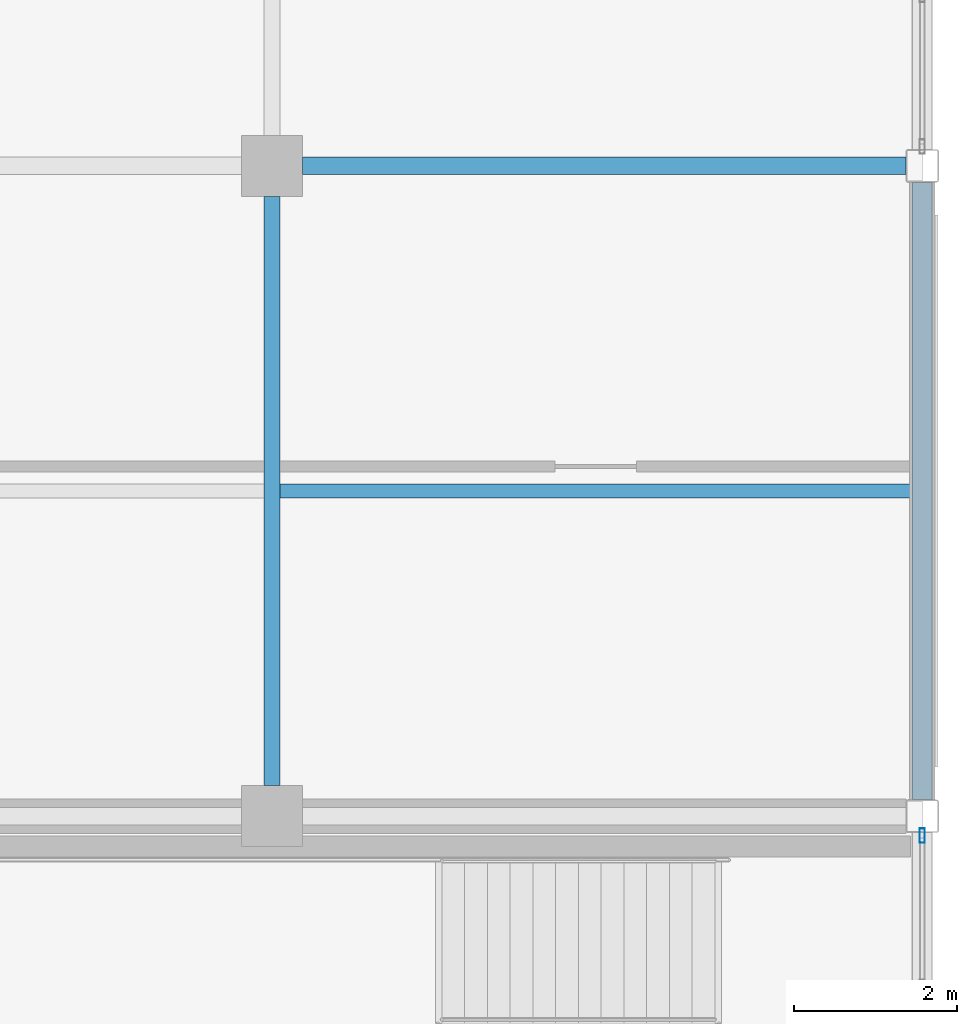
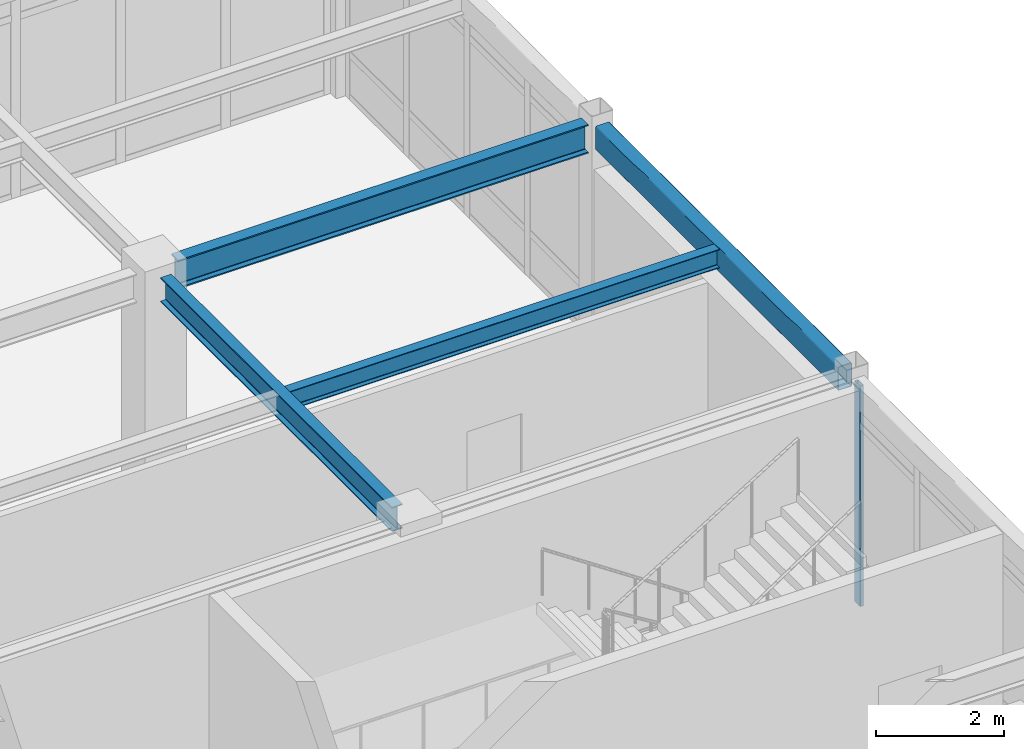
# One storey, part 72 of 111: 4 beams, 1 member, 1 element without a shape of its own.
"""IFC4 building model written with IfcOpenShell, lengths in metres."""

from ifc_helpers import new_model, si_unit, direction, frame, origin, origin_2d, place, context, subcontext, project, spatial, hollow_rectangle, i_section, extrude, material, material_profile, profile_set, type_object, element, aggregate, save


model = new_model("IFC4")

# Units and contexts
model_context = context("Model", 3, precision=1e-05, world=origin(), true_north=direction((0.0, 1.0)))
body_context = subcontext(model_context, "Body", "Model", "MODEL_VIEW")
ifc_project = project(units=[si_unit("LENGTHUNIT", "METRE"), si_unit("AREAUNIT", "SQUARE_METRE"), si_unit("VOLUMEUNIT", "CUBIC_METRE"), si_unit("PLANEANGLEUNIT", "RADIAN"), si_unit("MASSUNIT", "GRAM", prefix="KILO")], contexts=[model_context])

# Site, building, storey
site_placement = place(None, origin())
site = spatial("IfcSite", under=ifc_project, at=site_placement, CompositionType="ELEMENT")
building_placement = place(site_placement, origin())
building = spatial("IfcBuilding", under=site, at=building_placement, Name="Solmirada Galleria", CompositionType="ELEMENT")
storey_placement = place(building_placement, frame((0.0, 0.0, 10.39990234375)))
storey = spatial("IfcBuildingStorey", under=building, at=storey_placement, Name="L02", CompositionType="ELEMENT", Elevation=10.39990234375)

# Beams
ifc_material_1 = material(Name="Steel S355 / ASTM A992 Grade 50", Category="steel")
ifc_material_profile_1 = material_profile(ifc_material_1, i_section(OverallWidth=0.194091796875, OverallDepth=0.468994140625, WebThickness=0.0126953125, FlangeThickness=0.0205078125, FilletRadius=0.013916015625, at=origin_2d()), Name="W18X71")
ifc_profile_set_1 = profile_set([ifc_material_profile_1], Name="Steel S355 / ASTM A992 Grade 50")
beam_type_1 = type_object("IfcBeamType", Name="BM-GIRD-W18B", PredefinedType="BEAM", material=ifc_profile_set_1)
beam_1_placement = place(storey_placement, frame((168.0, 104.375, 4.065673828125), z_axis=(0.0, 1.0, 0.0), x_axis=(-1.0, 0.0, 0.0)))
element("IfcBeam", 1, at=beam_1_placement, inside=storey, type_object=beam_type_1, Name="Primary girder L03 Y(168, 104..112)", PredefinedType="BEAM", context=body_context, shape_type="SweptSolid", body=[
    extrude(i_section(OverallWidth=0.194091796875, OverallDepth=0.468994140625, WebThickness=0.0126953125, FlangeThickness=0.0205078125, FilletRadius=0.013916015625, at=origin_2d()), origin(), (0.0, 0.0, 1.0), 7.25),
])
ifc_material_profile_2 = material_profile(ifc_material_1, i_section(OverallWidth=0.214111328125, OverallDepth=0.549072265625, WebThickness=0.0146484375, FlangeThickness=0.023681640625, FilletRadius=0.014892578125, at=origin_2d()), Name="W21X93")
ifc_profile_set_2 = profile_set([ifc_material_profile_2], Name="Steel S355 / ASTM A992 Grade 50")
beam_type_2 = type_object("IfcBeamType", Name="BM-GIRD-W21A", PredefinedType="BEAM", material=ifc_profile_set_2)
beam_2_placement = place(storey_placement, frame((168.375, 112.0, 4.025634765625), z_axis=(1.0, 0.0, 0.0), x_axis=(0.0, 1.0, 0.0)))
element("IfcBeam", 2, at=beam_2_placement, inside=storey, type_object=beam_type_2, Name="Primary beam L03 X(168..176, 112)", PredefinedType="BEAM", context=body_context, shape_type="SweptSolid", body=[
    extrude(i_section(OverallWidth=0.214111328125, OverallDepth=0.549072265625, WebThickness=0.0146484375, FlangeThickness=0.023681640625, FilletRadius=0.014892578125, at=origin_2d()), origin(), (0.0, 0.0, 1.0), 7.422119140625),
])
ifc_material_profile_3 = material_profile(ifc_material_1, i_section(OverallWidth=0.172119140625, OverallDepth=0.35791015625, WebThickness=0.0078125, FlangeThickness=0.01318359375, FilletRadius=0.011962890625, at=origin_2d()), Name="W14X38")
ifc_profile_set_3 = profile_set([ifc_material_profile_3], Name="Steel S355 / ASTM A992 Grade 50")
beam_type_3 = type_object("IfcBeamType", Name="BM-JST-W14A", PredefinedType="JOIST", material=ifc_profile_set_3)
beam_3_placement = place(storey_placement, frame((168.096923828125, 108.0, 4.12109375), z_axis=(1.0, 0.0, 0.0), x_axis=(0.0, 1.0, 0.0)))
element("IfcBeam", 3, at=beam_3_placement, inside=storey, type_object=beam_type_3, Name="Composite floor joist L03 (168..176, 108.0)", PredefinedType="JOIST", context=body_context, shape_type="SweptSolid", body=[
    extrude(i_section(OverallWidth=0.172119140625, OverallDepth=0.35791015625, WebThickness=0.0078125, FlangeThickness=0.01318359375, FilletRadius=0.011962890625, at=origin_2d()), origin(), (0.0, 0.0, 1.0), 7.776123046875),
])
ifc_material_2 = material(Name="Steel S355 / ASTM A500 Grade C", Category="steel")
ifc_material_profile_4 = material_profile(ifc_material_2, hollow_rectangle(XDim=0.25390625, YDim=0.45703125, WallThickness=0.01171875, InnerFilletRadius=0.01171875, OuterFilletRadius=0.023681640625, at=origin_2d()), Name="HSS18X10X1/2")
ifc_profile_set_4 = profile_set([ifc_material_profile_4], Name="Steel S355 / ASTM A500 Grade C")
beam_type_4 = type_object("IfcBeamType", Name="BM-SPAND-W18", PredefinedType="SPANDREL", material=ifc_profile_set_4)
beam_4_placement = place(storey_placement, frame((176.0, 104.202880859375, 4.071533203125), z_axis=(0.0, 1.0, 0.0), x_axis=(-1.0, 0.0, 0.0)))
element("IfcBeam", 4, at=beam_4_placement, inside=storey, type_object=beam_type_4, Name="Primary girder L03 Y(176, 104..112)", PredefinedType="SPANDREL", context=body_context, shape_type="SweptSolid", body=[
    extrude(hollow_rectangle(XDim=0.25390625, YDim=0.45703125, WallThickness=0.01171875, InnerFilletRadius=0.01171875, OuterFilletRadius=0.023681640625, at=origin_2d()), origin(), (0.0, 0.0, 1.0), 7.59423828125),
])

# Curtain wall, member
ifc_material_3 = material(Name="Impact-resistant low-E double glazing", Category="glass")
curtain_wall_type = type_object("IfcCurtainWallType", Name="CW-FZ2-L02-B4-L076", PredefinedType="NOTDEFINED", material=ifc_material_3)
curtain_wall_placement = place(storey_placement, origin())
curtain_wall = element("IfcCurtainWall", 5, at=curtain_wall_placement, inside=storey, type_object=curtain_wall_type, Name="Terrace and arcade storefront CW-L02-101", PredefinedType="NOTDEFINED")
ifc_material_4 = material(Name="Anodised aluminium framing", Category="aluminium")
ifc_material_profile_5 = material_profile(ifc_material_4, hollow_rectangle(XDim=0.06494140625, YDim=0.179931640625, WallThickness=0.00390625, InnerFilletRadius=0.00390625, OuterFilletRadius=0.008056640625, at=origin_2d()), Name="ALU-MULL-180X65")
ifc_profile_set_5 = profile_set([ifc_material_profile_5], Name="Anodised aluminium framing")
member_type = type_object("IfcMemberType", Name="CW-MULL-180", PredefinedType="MULLION", material=ifc_profile_set_5)
member_placement = place(storey_placement, frame((176.0, 103.762451171875, 0.0), z_axis=(0.0, 0.0, 1.0), x_axis=(1.0, 0.0, 0.0)))
member = element("IfcMember", 6, at=member_placement, type_object=member_type, Name="CW24 mullion 1", PredefinedType="MULLION", context=body_context, shape_type="SweptSolid", body=[
    extrude(hollow_rectangle(XDim=0.06494140625, YDim=0.179931640625, WallThickness=0.00390625, InnerFilletRadius=0.00390625, OuterFilletRadius=0.008056640625, at=origin_2d()), origin(), (0.0, 0.0, 1.0), 4.22021484375),
])
aggregate(curtain_wall, [member])

save(model, "model.ifc")
